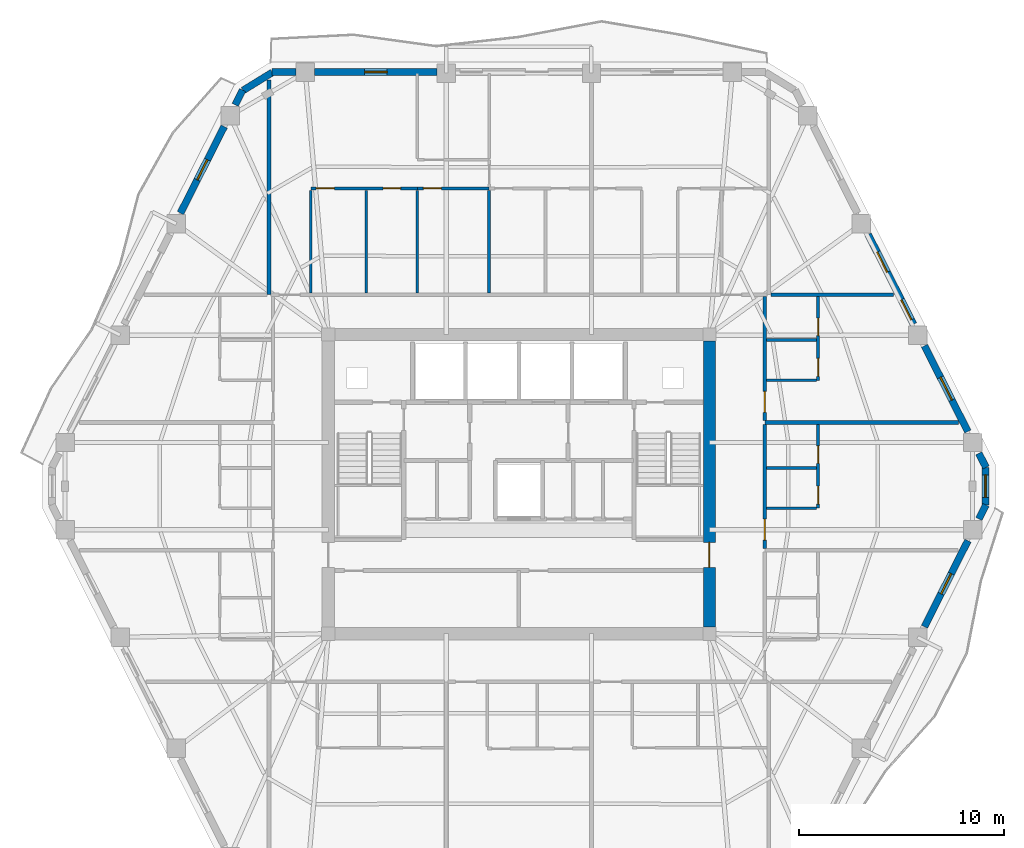
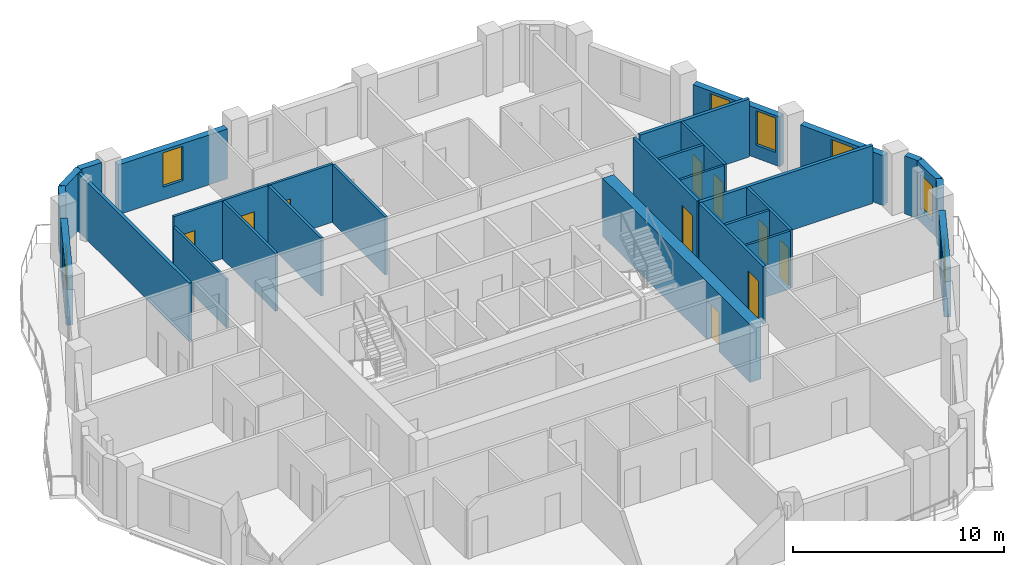
# One storey, part 7 of 10: 29 walls, 10 doors, 7 windows, 17 openings.
"""IFC4 building model written with IfcOpenShell, lengths in metres."""

from ifc_helpers import new_model, si_unit, direction, frame, frame_2d, origin, place, context, subcontext, project, spatial, rectangle, extrude, material, layer, layer_set, type_object, element, fill, save


model = new_model("IFC4")

# Units and contexts
model_context = context("Model", 3, precision=1e-05, world=origin(), true_north=direction((0.0, 1.0)))
body_context = subcontext(model_context, "Body", "Model", "MODEL_VIEW")
ifc_project = project(units=[si_unit("LENGTHUNIT", "METRE"), si_unit("AREAUNIT", "SQUARE_METRE"), si_unit("VOLUMEUNIT", "CUBIC_METRE"), si_unit("PLANEANGLEUNIT", "RADIAN"), si_unit("MASSUNIT", "GRAM", prefix="KILO")], contexts=[model_context])

# Site, building, storey
site_placement = place(None, origin())
site = spatial("IfcSite", under=ifc_project, at=site_placement, CompositionType="ELEMENT")
building_placement = place(site_placement, origin())
building = spatial("IfcBuilding", under=site, at=building_placement, Name="Cinnabar Lancet Tower", CompositionType="ELEMENT")
storey_placement = place(building_placement, frame((0.0, 0.0, 203.85009765625)))
storey = spatial("IfcBuildingStorey", under=building, at=storey_placement, Name="L54", CompositionType="ELEMENT", Elevation=203.85009765625)

# Wall, opening, door
ifc_material_1 = material(Name="Acoustic twin-stud gypsum partition", Category="gypsum")
ifc_layer_1 = layer(ifc_material_1, 0.159912109375)
ifc_layer_set_1 = layer_set([ifc_layer_1], Name="Acoustic twin-stud gypsum partition")
wall_type_1 = type_object("IfcWallType", Name="ARC-WL-CORR-160", PredefinedType="PARTITIONING", material=ifc_layer_set_1)
wall_1_placement = place(storey_placement, frame((44.39990234375, 22.77099609375, 0.0), z_axis=(0.0, 0.0, 1.0), x_axis=(0.0, 1.0, 0.0)))
wall_1 = element("IfcWall", 1, at=wall_1_placement, inside=storey, type_object=wall_type_1, Name="UW-L54-E02-COR", PredefinedType="PARTITIONING", context=body_context, shape_type="SweptSolid", body=[
    extrude(rectangle(XDim=6.047119140625, YDim=0.159912109375, at=frame_2d((3.0234375, 0.0))), origin(), (0.0, 0.0, 1.0), 3.349853515625),
])
opening_1_placement = place(wall_1_placement, frame((0.39990234375, 0.0, 0.0)))
opening_1 = element("IfcOpeningElement", 2, at=opening_1_placement, cuts=wall_1, Name="Opening UD-01", PredefinedType="OPENING", context=body_context, shape_type="SweptSolid", body=[
    extrude(rectangle(XDim=1.02001953125, YDim=2.25, at=frame_2d((0.510009765625, 1.125))), frame((0.0, 0.08984375, 0.0), z_axis=(0.0, -1.0, 0.0), x_axis=(1.0, 0.0, 0.0)), (0.0, 0.0, 1.0), 0.179931640625),
])
ifc_material_2 = material(Name="Solid timber fire-rated apartment entrance door", Category="wood")
door_type_1 = type_object("IfcDoorType", Name="ARC-DR-UNIT", OperationType="NOTDEFINED", PredefinedType="DOOR", material=ifc_material_2)
door_1_placement = place(opening_1_placement, origin())
door_1 = element("IfcDoor", 3, at=door_1_placement, inside=storey, type_object=door_type_1, Name="DR-L54-E02-ENT", OperationType="SINGLE_SWING_LEFT", OverallHeight=2.25, OverallWidth=1.02001953125, PredefinedType="DOOR", context=body_context, shape_type="SweptSolid", body=[
    extrude(rectangle(XDim=1.02001953125, YDim=2.25, at=frame_2d((0.510009765625, 1.125))), frame((0.0, 0.02490234375, 0.0), z_axis=(0.0, -1.0, 0.0), x_axis=(1.0, 0.0, 0.0)), (0.0, 0.0, 1.0), 0.050048828125),
])
fill(opening_1, door_1)

wall_2_placement = place(storey_placement, frame((44.39990234375, 29.008056640625, 0.0), z_axis=(0.0, 0.0, 1.0), x_axis=(0.0, 1.0, 0.0)))
wall_2 = element("IfcWall", 4, at=wall_2_placement, inside=storey, type_object=wall_type_1, Name="UW-L54-E03-COR", PredefinedType="PARTITIONING", context=body_context, shape_type="SweptSolid", body=[
    extrude(rectangle(XDim=6.046875, YDim=0.159912109375, at=frame_2d((3.0234375, 0.0))), origin(), (0.0, 0.0, 1.0), 3.349853515625),
])
opening_2_placement = place(wall_2_placement, frame((0.39990234375, 0.0, 0.0)))
opening_2 = element("IfcOpeningElement", 5, at=opening_2_placement, cuts=wall_2, Name="Opening UD-01", PredefinedType="OPENING", context=body_context, shape_type="SweptSolid", body=[
    extrude(rectangle(XDim=1.02001953125, YDim=2.25, at=frame_2d((0.510009765625, 1.125))), frame((0.0, 0.08984375, 0.0), z_axis=(0.0, -1.0, 0.0), x_axis=(1.0, 0.0, 0.0)), (0.0, 0.0, 1.0), 0.179931640625),
])
door_2_placement = place(opening_2_placement, origin())
door_2 = element("IfcDoor", 6, at=door_2_placement, inside=storey, type_object=door_type_1, Name="DR-L54-E03-ENT", OperationType="SINGLE_SWING_RIGHT", OverallHeight=2.25, OverallWidth=1.02001953125, PredefinedType="DOOR", context=body_context, shape_type="SweptSolid", body=[
    extrude(rectangle(XDim=1.02001953125, YDim=2.25, at=frame_2d((0.510009765625, 1.125))), frame((0.0, 0.02490234375, 0.0), z_axis=(0.0, -1.0, 0.0), x_axis=(1.0, 0.0, 0.0)), (0.0, 0.0, 1.0), 0.050048828125),
])
fill(opening_2, door_2)

# Walls
ifc_material_3 = material(Name="Fire-rated twin-frame acoustic drywall", Category="gypsum")
ifc_layer_2 = layer(ifc_material_3, 0.179931640625)
ifc_layer_set_2 = layer_set([ifc_layer_2], Name="Fire-rated twin-frame acoustic drywall")
wall_type_2 = type_object("IfcWallType", Name="ARC-WL-PARTY-180", PredefinedType="PARTITIONING", material=ifc_layer_set_2)
wall_3_placement = place(storey_placement, frame((20.199951171875, 35.14990234375, 0.0), z_axis=(0.0, 0.0, 1.0), x_axis=(0.0, 1.0, 0.0)))
element("IfcWall", 7, at=wall_3_placement, inside=storey, type_object=wall_type_2, Name="PW-L54-NPTY-202", PredefinedType="PARTITIONING", context=body_context, shape_type="SweptSolid", body=[
    extrude(rectangle(XDim=10.482177734375, YDim=0.179931640625, at=frame_2d((5.2412109375, 0.0))), origin(), (0.0, 0.0, 1.0), 3.349853515625),
])
wall_4_placement = place(storey_placement, frame((44.695068359375, 35.14990234375, 0.0), z_axis=(0.0, 0.0, 1.0), x_axis=(1.0, 0.0, 0.0)))
element("IfcWall", 8, at=wall_4_placement, inside=storey, type_object=wall_type_2, Name="PW-L54-ENB", PredefinedType="PARTITIONING", context=body_context, shape_type="SweptSolid", body=[
    extrude(rectangle(XDim=5.994873046875, YDim=0.179931640625, at=frame_2d((2.99755859375, 0.0))), origin(), (0.0, 0.0, 1.0), 3.349853515625),
])
wall_5_placement = place(storey_placement, frame((44.39990234375, 28.9130859375, 0.0), z_axis=(0.0, 0.0, 1.0), x_axis=(1.0, 0.0, 0.0)))
element("IfcWall", 9, at=wall_5_placement, inside=storey, type_object=wall_type_2, Name="PW-L54-EPTY-2", PredefinedType="PARTITIONING", context=body_context, shape_type="SweptSolid", body=[
    extrude(rectangle(XDim=9.446044921875, YDim=0.179931640625, at=frame_2d((4.72314453125, 0.0))), origin(), (0.0, 0.0, 1.0), 3.349853515625),
])
ifc_material_4 = material(Name="Gypsum plasterboard stud partition", Category="gypsum")
ifc_layer_3 = layer(ifc_material_4, 0.125)
ifc_layer_set_3 = layer_set([ifc_layer_3], Name="Gypsum plasterboard stud partition")
wall_type_3 = type_object("IfcWallType", Name="ARC-WL-UNIT-125", PredefinedType="PARTITIONING", material=ifc_layer_set_3)
wall_6_placement = place(storey_placement, frame((22.25, 35.235107421875, 0.0), z_axis=(0.0, 0.0, 1.0), x_axis=(0.0, 1.0, 0.0)))
element("IfcWall", 10, at=wall_6_placement, inside=storey, type_object=wall_type_3, Name="UW-L54-N01-FOYE", PredefinedType="PARTITIONING", context=body_context, shape_type="SweptSolid", body=[
    extrude(rectangle(XDim=4.990966796875, YDim=0.125, at=frame_2d((2.49560546875, 0.0))), origin(), (0.0, 0.0, 1.0), 2.806884765625),
])
for number, where, z_axis, x_axis, name in (
    (11, (44.485107421875, 24.72607421875, 0.0), (0.0, 0.0, 1.0), (1.0, 0.0, 0.0), "UW-L54-E02-FOYN"),
    (12, (44.485107421875, 30.962890625, 0.0), (0.0, 0.0, 1.0), (1.0, 0.0, 0.0), "UW-L54-E03-FOYN"),
):
    element("IfcWall", number, at=place(storey_placement, frame(where, z_axis=z_axis, x_axis=x_axis)), inside=storey, type_object=wall_type_3, Name=name, PredefinedType="PARTITIONING", context=body_context, shape_type="SweptSolid", body=[
        extrude(rectangle(XDim=2.429931640625, YDim=0.125, at=frame_2d((1.21484375, 0.0))), origin(), (0.0, 0.0, 1.0), 3.349853515625),
    ])

# Wall, openings, doors
ifc_material_5 = material(Name="Moisture-resistant cement-board plumbing wall", Category="masonry")
ifc_layer_4 = layer(ifc_material_5, 0.139892578125)
ifc_layer_set_4 = layer_set([ifc_layer_4], Name="Moisture-resistant cement-board plumbing wall")
wall_type_4 = type_object("IfcWallType", Name="ARC-WL-WET-140", PredefinedType="PLUMBINGWALL", material=ifc_layer_set_4)
wall_7_placement = place(storey_placement, frame((22.25, 40.3310546875, 0.0), z_axis=(0.0, 0.0, 1.0), x_axis=(1.0, 0.0, 0.0)))
wall_7 = element("IfcWall", 13, at=wall_7_placement, inside=storey, type_object=wall_type_4, Name="UW-L54-N01-SPL", PredefinedType="PLUMBINGWALL", context=body_context, shape_type="SweptSolid", body=[
    extrude(rectangle(XDim=5.19189453125, YDim=0.139892578125, at=frame_2d((2.595947265625, 0.0))), origin(), (0.0, 0.0, 1.0), 3.349853515625),
])
opening_3_placement = place(wall_7_placement, frame((3.52099609375, 0.0, 0.0)))
opening_3 = element("IfcOpeningElement", 14, at=opening_3_placement, cuts=wall_7, Name="Opening BD-01", PredefinedType="OPENING", context=body_context, shape_type="SweptSolid", body=[
    extrude(rectangle(XDim=0.860107421875, YDim=2.10009765625, at=frame_2d((0.43017578125, 1.050048828125))), frame((0.0, 0.079833984375, 0.0), z_axis=(0.0, -1.0, 0.0), x_axis=(1.0, 0.0, 0.0)), (0.0, 0.0, 1.0), 0.159912109375),
])
opening_4_placement = place(wall_7_placement, frame((0.260009765625, 0.0, 0.0)))
opening_4 = element("IfcOpeningElement", 15, at=opening_4_placement, cuts=wall_7, Name="Opening RD-02", PredefinedType="OPENING", context=body_context, shape_type="SweptSolid", body=[
    extrude(rectangle(XDim=0.8798828125, YDim=2.14990234375, at=frame_2d((0.43994140625, 1.074951171875))), frame((0.0, 0.079833984375, 0.0), z_axis=(0.0, -1.0, 0.0), x_axis=(1.0, 0.0, 0.0)), (0.0, 0.0, 1.0), 0.159912109375),
])
ifc_material_6 = material(Name="Moisture-resistant timber bathroom door", Category="wood")
door_type_2 = type_object("IfcDoorType", Name="ARC-DR-BATH", OperationType="NOTDEFINED", PredefinedType="DOOR", material=ifc_material_6)
door_3_placement = place(opening_3_placement, origin())
door_3 = element("IfcDoor", 16, at=door_3_placement, inside=storey, type_object=door_type_2, Name="DR-L54-N01-BTH", OperationType="SINGLE_SWING_RIGHT", OverallHeight=2.10009765625, OverallWidth=0.860107421875, PredefinedType="DOOR", context=body_context, shape_type="SweptSolid", body=[
    extrude(rectangle(XDim=0.860107421875, YDim=2.10009765625, at=frame_2d((0.43017578125, 1.050048828125))), frame((0.0, 0.02490234375, 0.0), z_axis=(0.0, -1.0, 0.0), x_axis=(1.0, 0.0, 0.0)), (0.0, 0.0, 1.0), 0.050048828125),
])
fill(opening_3, door_3)
ifc_material_7 = material(Name="Engineered timber study door", Category="wood")
door_type_3 = type_object("IfcDoorType", Name="ARC-DR-STUDY", OperationType="NOTDEFINED", PredefinedType="DOOR", material=ifc_material_7)
door_4_placement = place(opening_4_placement, origin())
door_4 = element("IfcDoor", 17, at=door_4_placement, inside=storey, type_object=door_type_3, Name="DR-L54-N01-KIT", OperationType="SINGLE_SWING_LEFT", OverallHeight=2.14990234375, OverallWidth=0.8798828125, PredefinedType="DOOR", context=body_context, shape_type="SweptSolid", body=[
    extrude(rectangle(XDim=0.8798828125, YDim=2.14990234375, at=frame_2d((0.43994140625, 1.074951171875))), frame((0.0, 0.02490234375, 0.0), z_axis=(0.0, -1.0, 0.0), x_axis=(1.0, 0.0, 0.0)), (0.0, 0.0, 1.0), 0.050048828125),
])
fill(opening_4, door_4)

# Wall, opening, door
wall_8_placement = place(storey_placement, frame((27.44189453125, 40.3310546875, 0.0), z_axis=(0.0, 0.0, 1.0), x_axis=(1.0, 0.0, 0.0)))
wall_8 = element("IfcWall", 18, at=wall_8_placement, inside=storey, type_object=wall_type_4, Name="UW-L54-N01-SPM", PredefinedType="PLUMBINGWALL", context=body_context, shape_type="SweptSolid", body=[
    extrude(rectangle(XDim=3.508056640625, YDim=0.139892578125, at=frame_2d((1.75390625, 0.0))), origin(), (0.0, 0.0, 1.0), 3.349853515625),
])
opening_5_placement = place(wall_8_placement, frame((0.300048828125, 0.0, 0.0)))
opening_5 = element("IfcOpeningElement", 19, at=opening_5_placement, cuts=wall_8, Name="Opening RD-02", PredefinedType="OPENING", context=body_context, shape_type="SweptSolid", body=[
    extrude(rectangle(XDim=0.8798828125, YDim=2.14990234375, at=frame_2d((0.43994140625, 1.074951171875))), frame((0.0, 0.079833984375, 0.0), z_axis=(0.0, -1.0, 0.0), x_axis=(1.0, 0.0, 0.0)), (0.0, 0.0, 1.0), 0.159912109375),
])
door_5_placement = place(opening_5_placement, origin())
door_5 = element("IfcDoor", 20, at=door_5_placement, inside=storey, type_object=door_type_3, Name="DR-L54-N01-UTL", OperationType="SINGLE_SWING_RIGHT", OverallHeight=2.14990234375, OverallWidth=0.8798828125, PredefinedType="DOOR", context=body_context, shape_type="SweptSolid", body=[
    extrude(rectangle(XDim=0.8798828125, YDim=2.14990234375, at=frame_2d((0.43994140625, 1.074951171875))), frame((0.0, 0.02490234375, 0.0), z_axis=(0.0, -1.0, 0.0), x_axis=(1.0, 0.0, 0.0)), (0.0, 0.0, 1.0), 0.050048828125),
])
fill(opening_5, door_5)

# Walls
for number, where, z_axis, x_axis, name in (
    (21, (24.949951171875, 35.235107421875, 0.0), (0.0, 0.0, 1.0), (0.0, 1.0, 0.0), "UW-L54-N01-KDV"),
    (22, (27.44189453125, 35.235107421875, 0.0), (0.0, 0.0, 1.0), (0.0, 1.0, 0.0), "UW-L54-N01-ENSW"),
    (23, (30.949951171875, 35.235107421875, 0.0), (0.0, 0.0, 1.0), (0.0, 1.0, 0.0), "UW-L54-N01-ENSE"),
):
    element("IfcWall", number, at=place(storey_placement, frame(where, z_axis=z_axis, x_axis=x_axis)), inside=storey, type_object=wall_type_4, Name=name, PredefinedType="PLUMBINGWALL", context=body_context, shape_type="SweptSolid", body=[
        extrude(rectangle(XDim=4.990966796875, YDim=0.139892578125, at=frame_2d((2.49560546875, 0.0))), origin(), (0.0, 0.0, 1.0), 3.349853515625),
    ])

# Wall, openings, doors
wall_9_placement = place(storey_placement, frame((47.0, 24.72607421875, 0.0), z_axis=(0.0, 0.0, 1.0), x_axis=(0.0, 1.0, 0.0)))
wall_9 = element("IfcWall", 24, at=wall_9_placement, inside=storey, type_object=wall_type_4, Name="UW-L54-E02-SPL", PredefinedType="PLUMBINGWALL", context=body_context, shape_type="SweptSolid", body=[
    extrude(rectangle(XDim=4.092041015625, YDim=0.139892578125, at=frame_2d((2.0458984375, 0.0))), origin(), (0.0, 0.0, 1.0), 3.349853515625),
])
opening_6_placement = place(wall_9_placement, frame((2.18408203125, 0.0, 0.0)))
opening_6 = element("IfcOpeningElement", 25, at=opening_6_placement, cuts=wall_9, Name="Opening BD-01", PredefinedType="OPENING", context=body_context, shape_type="SweptSolid", body=[
    extrude(rectangle(XDim=0.860107421875, YDim=2.10009765625, at=frame_2d((0.43017578125, 1.050048828125))), frame((0.0, 0.079833984375, 0.0), z_axis=(0.0, -1.0, 0.0), x_axis=(1.0, 0.0, 0.0)), (0.0, 0.0, 1.0), 0.159912109375),
])
opening_7_placement = place(wall_9_placement, frame((0.199951171875, 0.0, 0.0)))
opening_7 = element("IfcOpeningElement", 26, at=opening_7_placement, cuts=wall_9, Name="Opening RD-02", PredefinedType="OPENING", context=body_context, shape_type="SweptSolid", body=[
    extrude(rectangle(XDim=0.8798828125, YDim=2.14990234375, at=frame_2d((0.43994140625, 1.074951171875))), frame((0.0, 0.079833984375, 0.0), z_axis=(0.0, -1.0, 0.0), x_axis=(1.0, 0.0, 0.0)), (0.0, 0.0, 1.0), 0.159912109375),
])
door_6_placement = place(opening_6_placement, origin())
door_6 = element("IfcDoor", 27, at=door_6_placement, inside=storey, type_object=door_type_2, Name="DR-L54-E02-BTH", OperationType="SINGLE_SWING_LEFT", OverallHeight=2.10009765625, OverallWidth=0.860107421875, PredefinedType="DOOR", context=body_context, shape_type="SweptSolid", body=[
    extrude(rectangle(XDim=0.860107421875, YDim=2.10009765625, at=frame_2d((0.43017578125, 1.050048828125))), frame((0.0, 0.02490234375, 0.0), z_axis=(0.0, -1.0, 0.0), x_axis=(1.0, 0.0, 0.0)), (0.0, 0.0, 1.0), 0.050048828125),
])
fill(opening_6, door_6)
door_7_placement = place(opening_7_placement, origin())
door_7 = element("IfcDoor", 28, at=door_7_placement, inside=storey, type_object=door_type_3, Name="DR-L54-E02-KIT", OperationType="SINGLE_SWING_RIGHT", OverallHeight=2.14990234375, OverallWidth=0.8798828125, PredefinedType="DOOR", context=body_context, shape_type="SweptSolid", body=[
    extrude(rectangle(XDim=0.8798828125, YDim=2.14990234375, at=frame_2d((0.43994140625, 1.074951171875))), frame((0.0, 0.02490234375, 0.0), z_axis=(0.0, -1.0, 0.0), x_axis=(1.0, 0.0, 0.0)), (0.0, 0.0, 1.0), 0.050048828125),
])
fill(opening_7, door_7)

# Wall
wall_10_placement = place(storey_placement, frame((44.485107421875, 26.68994140625, 0.0), z_axis=(0.0, 0.0, 1.0), x_axis=(1.0, 0.0, 0.0)))
element("IfcWall", 29, at=wall_10_placement, inside=storey, type_object=wall_type_4, Name="UW-L54-E02-KDV", PredefinedType="PLUMBINGWALL", context=body_context, shape_type="SweptSolid", body=[
    extrude(rectangle(XDim=2.429931640625, YDim=0.139892578125, at=frame_2d((1.21484375, 0.0))), origin(), (0.0, 0.0, 1.0), 3.349853515625),
])

# Wall, openings, doors
wall_11_placement = place(storey_placement, frame((47.0, 30.962890625, 0.0), z_axis=(0.0, 0.0, 1.0), x_axis=(0.0, 1.0, 0.0)))
wall_11 = element("IfcWall", 30, at=wall_11_placement, inside=storey, type_object=wall_type_4, Name="UW-L54-E03-SPL", PredefinedType="PLUMBINGWALL", context=body_context, shape_type="SweptSolid", body=[
    extrude(rectangle(XDim=4.092041015625, YDim=0.139892578125, at=frame_2d((2.0458984375, 0.0))), origin(), (0.0, 0.0, 1.0), 3.349853515625),
])
opening_8_placement = place(wall_11_placement, frame((2.18408203125, 0.0, 0.0)))
opening_8 = element("IfcOpeningElement", 31, at=opening_8_placement, cuts=wall_11, Name="Opening BD-01", PredefinedType="OPENING", context=body_context, shape_type="SweptSolid", body=[
    extrude(rectangle(XDim=0.860107421875, YDim=2.10009765625, at=frame_2d((0.43017578125, 1.050048828125))), frame((0.0, 0.079833984375, 0.0), z_axis=(0.0, -1.0, 0.0), x_axis=(1.0, 0.0, 0.0)), (0.0, 0.0, 1.0), 0.159912109375),
])
opening_9_placement = place(wall_11_placement, frame((0.199951171875, 0.0, 0.0)))
opening_9 = element("IfcOpeningElement", 32, at=opening_9_placement, cuts=wall_11, Name="Opening RD-02", PredefinedType="OPENING", context=body_context, shape_type="SweptSolid", body=[
    extrude(rectangle(XDim=0.8798828125, YDim=2.14990234375, at=frame_2d((0.43994140625, 1.074951171875))), frame((0.0, 0.079833984375, 0.0), z_axis=(0.0, -1.0, 0.0), x_axis=(1.0, 0.0, 0.0)), (0.0, 0.0, 1.0), 0.159912109375),
])
door_8_placement = place(opening_8_placement, origin())
door_8 = element("IfcDoor", 33, at=door_8_placement, inside=storey, type_object=door_type_2, Name="DR-L54-E03-BTH", OperationType="SINGLE_SWING_RIGHT", OverallHeight=2.10009765625, OverallWidth=0.860107421875, PredefinedType="DOOR", context=body_context, shape_type="SweptSolid", body=[
    extrude(rectangle(XDim=0.860107421875, YDim=2.10009765625, at=frame_2d((0.43017578125, 1.050048828125))), frame((0.0, 0.02490234375, 0.0), z_axis=(0.0, -1.0, 0.0), x_axis=(1.0, 0.0, 0.0)), (0.0, 0.0, 1.0), 0.050048828125),
])
fill(opening_8, door_8)
door_9_placement = place(opening_9_placement, origin())
door_9 = element("IfcDoor", 34, at=door_9_placement, inside=storey, type_object=door_type_3, Name="DR-L54-E03-KIT", OperationType="SINGLE_SWING_LEFT", OverallHeight=2.14990234375, OverallWidth=0.8798828125, PredefinedType="DOOR", context=body_context, shape_type="SweptSolid", body=[
    extrude(rectangle(XDim=0.8798828125, YDim=2.14990234375, at=frame_2d((0.43994140625, 1.074951171875))), frame((0.0, 0.02490234375, 0.0), z_axis=(0.0, -1.0, 0.0), x_axis=(1.0, 0.0, 0.0)), (0.0, 0.0, 1.0), 0.050048828125),
])
fill(opening_9, door_9)

# Wall
wall_12_placement = place(storey_placement, frame((44.485107421875, 32.927001953125, 0.0), z_axis=(0.0, 0.0, 1.0), x_axis=(1.0, 0.0, 0.0)))
element("IfcWall", 35, at=wall_12_placement, inside=storey, type_object=wall_type_4, Name="UW-L54-E03-KDV", PredefinedType="PLUMBINGWALL", context=body_context, shape_type="SweptSolid", body=[
    extrude(rectangle(XDim=2.429931640625, YDim=0.139892578125, at=frame_2d((1.21484375, 0.0))), origin(), (0.0, 0.0, 1.0), 3.349853515625),
])

# Wall, opening, window
ifc_material_8 = material(Name="Cinnabar red clay brick", Category="masonry")
ifc_layer_5 = layer(ifc_material_8, 0.340087890625)
ifc_layer_set_5 = layer_set([ifc_layer_5], Name="Cinnabar red clay brick")
wall_type_5 = type_object("IfcWallType", Name="ENV-WL-BRK-RED-340", PredefinedType="STANDARD", material=ifc_layer_set_5)
wall_13_placement = place(storey_placement, frame((55.177978515625, 24.89208984375, 0.0), z_axis=(0.0, 0.0, 1.0), x_axis=(0.0, 1.0, 0.0)))
wall_13 = element("IfcWall", 36, at=wall_13_placement, inside=storey, type_object=wall_type_5, Name="L54 Chamfered Corner Brick Pier 3.1", PredefinedType="STANDARD", context=body_context, shape_type="SweptSolid", body=[
    extrude(rectangle(XDim=1.81591796875, YDim=0.340087890625, at=frame_2d((0.907958984375, 0.0))), origin(), (0.0, 0.0, 1.0), 3.349853515625),
])
opening_10_placement = place(wall_13_placement, frame((0.35791015625, 0.0, 0.75)))
opening_10 = element("IfcOpeningElement", 37, at=opening_10_placement, cuts=wall_13, Name="Opening WN-04", PredefinedType="OPENING", context=body_context, shape_type="SweptSolid", body=[
    extrude(rectangle(XDim=1.10009765625, YDim=2.0, at=frame_2d((0.550048828125, 1.0))), frame((0.0, 0.179931640625, 0.0), z_axis=(0.0, -1.0, 0.0), x_axis=(1.0, 0.0, 0.0)), (0.0, 0.0, 1.0), 0.360107421875),
])
ifc_material_9 = material(Name="Thermally broken bronze-anodized aluminium tall lancet window", Category="aluminium")
window_type_1 = type_object("IfcWindowType", Name="ENV-WN-LANCET-1100", PartitioningType="SINGLE_PANEL", PredefinedType="WINDOW", material=ifc_material_9)
window_1_placement = place(opening_10_placement, origin())
window_1 = element("IfcWindow", 38, at=window_1_placement, inside=storey, type_object=window_type_1, Name="L54 Dwelling Gothic Lancet Window 332", OverallHeight=2.0, OverallWidth=1.10009765625, PartitioningType="SINGLE_PANEL", PredefinedType="WINDOW", context=body_context, shape_type="SweptSolid", body=[
    extrude(rectangle(XDim=1.10009765625, YDim=2.0, at=frame_2d((0.550048828125, 1.0))), frame((0.0, 0.030029296875, 0.0), z_axis=(0.0, -1.0, 0.0), x_axis=(1.0, 0.0, 0.0)), (0.0, 0.0, 1.0), 0.06005859375),
])
fill(opening_10, window_1)

# Wall
wall_14_placement = place(storey_placement, frame((20.366943359375, 45.9951171875, 0.0), z_axis=(0.0, 0.0, 1.0), x_axis=(-0.851713271379, -0.524008113828, 0.0)))
element("IfcWall", 39, at=wall_14_placement, inside=storey, type_object=wall_type_5, Name="L54 Chamfered Corner Brick Pier 5.1", PredefinedType="STANDARD", context=body_context, shape_type="SweptSolid", body=[
    extrude(rectangle(XDim=1.677734375, YDim=0.340087890625, at=frame_2d((0.8388671875, 0.0))), origin(), (0.0, 0.0, 1.0), 3.349853515625),
])

# Wall, opening, window
wall_15_placement = place(storey_placement, frame((52.193115234375, 18.943115234375, 0.0), z_axis=(0.0, 0.0, 1.0), x_axis=(0.451447222193, 0.892297823361, 0.0)))
wall_15 = element("IfcWall", 40, at=wall_15_placement, inside=storey, type_object=wall_type_5, Name="L54 Face 2 Masonry Bay Wall 4", PredefinedType="STANDARD", context=body_context, shape_type="SweptSolid", body=[
    extrude(rectangle(XDim=4.699951171875, YDim=0.340087890625, at=frame_2d((2.35009765625, 0.0))), origin(), (0.0, 0.0, 1.0), 2.8828125),
])
opening_11_placement = place(wall_15_placement, frame((1.800048828125, 0.0, 0.75)))
opening_11 = element("IfcOpeningElement", 41, at=opening_11_placement, cuts=wall_15, Name="Opening WN-04", PredefinedType="OPENING", context=body_context, shape_type="SweptSolid", body=[
    extrude(rectangle(XDim=1.10009765625, YDim=1.98291015625, at=frame_2d((0.550048828125, 0.991455078125))), frame((0.0, 0.179931640625, 0.0), z_axis=(0.0, -1.0, 0.0), x_axis=(1.0, 0.0, 0.0)), (0.0, 0.0, 1.0), 0.360107421875),
])
window_2_placement = place(opening_11_placement, origin())
window_2 = element("IfcWindow", 42, at=window_2_placement, inside=storey, type_object=window_type_1, Name="L54 Face 2 Gothic Lancet Window 4", OverallHeight=1.98291015625, OverallWidth=1.10009765625, PartitioningType="SINGLE_PANEL", PredefinedType="WINDOW", context=body_context, shape_type="SweptSolid", body=[
    extrude(rectangle(XDim=1.10009765625, YDim=1.98291015625, at=frame_2d((0.550048828125, 0.991455078125))), frame((0.0, 0.030029296875, 0.0), z_axis=(0.0, -1.0, 0.0), x_axis=(1.0, 0.0, 0.0)), (0.0, 0.0, 1.0), 0.06005859375),
])
fill(opening_11, window_2)

# Walls
for number, where, z_axis, x_axis, name in (
    (43, (54.85107421875, 24.197021484375, 0.0), (0.0, 0.0, 1.0), (0.451262448184, 0.892391283496, 0.0), "L54 Face 2 Masonry Bay Wall 5"),
    (44, (55.198974609375, 26.715087890625, 0.0), (0.0, 0.0, 1.0), (-0.451262448184, 0.892391283496, 0.0), "L54 Face 3 Masonry Bay Wall 1"),
):
    element("IfcWall", number, at=place(storey_placement, frame(where, z_axis=z_axis, x_axis=x_axis)), inside=storey, type_object=wall_type_5, Name=name, PredefinedType="STANDARD", context=body_context, shape_type="SweptSolid", body=[
        extrude(rectangle(XDim=0.77099609375, YDim=0.340087890625, at=frame_2d((0.385498046875, 0.0))), origin(), (0.0, 0.0, 1.0), 3.349853515625),
    ])

# Wall, opening, window
wall_16_placement = place(storey_placement, frame((54.31494140625, 28.462890625, 0.0), z_axis=(0.0, 0.0, 1.0), x_axis=(-0.451426298588, 0.892308409096, 0.0)))
wall_16 = element("IfcWall", 45, at=wall_16_placement, inside=storey, type_object=wall_type_5, Name="L54 Face 3 Masonry Bay Wall 2", PredefinedType="STANDARD", context=body_context, shape_type="SweptSolid", body=[
    extrude(rectangle(XDim=4.7001953125, YDim=0.340087890625, at=frame_2d((2.35009765625, 0.0))), origin(), (0.0, 0.0, 1.0), 2.8828125),
])
opening_12_placement = place(wall_16_placement, frame((1.72509765625, 0.0, 0.75)))
opening_12 = element("IfcOpeningElement", 46, at=opening_12_placement, cuts=wall_16, Name="Opening WN-03", PredefinedType="OPENING", context=body_context, shape_type="SweptSolid", body=[
    extrude(rectangle(XDim=1.25, YDim=1.949951171875, at=frame_2d((0.625, 0.97509765625))), frame((0.0, 0.179931640625, 0.0), z_axis=(0.0, -1.0, 0.0), x_axis=(1.0, 0.0, 0.0)), (0.0, 0.0, 1.0), 0.360107421875),
])
ifc_material_10 = material(Name="Thermally broken bronze-anodized aluminium low-E double glazing", Category="aluminium")
window_type_2 = type_object("IfcWindowType", Name="ENV-WN-LANCET-1250", PartitioningType="SINGLE_PANEL", PredefinedType="WINDOW", material=ifc_material_10)
window_3_placement = place(opening_12_placement, origin())
window_3 = element("IfcWindow", 47, at=window_3_placement, inside=storey, type_object=window_type_2, Name="L54 Face 3 Gothic Lancet Window 2", OverallHeight=1.949951171875, OverallWidth=1.25, PartitioningType="SINGLE_PANEL", PredefinedType="WINDOW", context=body_context, shape_type="SweptSolid", body=[
    extrude(rectangle(XDim=1.25, YDim=1.949951171875, at=frame_2d((0.625, 0.97509765625))), frame((0.0, 0.030029296875, 0.0), z_axis=(0.0, -1.0, 0.0), x_axis=(1.0, 0.0, 0.0)), (0.0, 0.0, 1.0), 0.06005859375),
])
fill(opening_12, window_3)

# Wall, openings, windows
wall_17_placement = place(storey_placement, frame((51.6650390625, 33.701904296875, 0.0), z_axis=(0.0, 0.0, 1.0), x_axis=(-0.451524246964, 0.89225884944, 0.0)))
wall_17 = element("IfcWall", 48, at=wall_17_placement, inside=storey, type_object=wall_type_5, Name="L54 Face 3 Masonry Bay Wall 3", PredefinedType="STANDARD", context=body_context, shape_type="SweptSolid", body=[
    extrude(rectangle(XDim=4.91015625, YDim=0.340087890625, at=frame_2d((2.455078125, 0.0))), origin(), (0.0, 0.0, 1.0), 2.8828125),
])
opening_13_placement = place(wall_17_placement, frame((0.240966796875, 0.0, 0.75)))
opening_13 = element("IfcOpeningElement", 49, at=opening_13_placement, cuts=wall_17, Name="Opening WN-04", PredefinedType="OPENING", context=body_context, shape_type="SweptSolid", body=[
    extrude(rectangle(XDim=1.10009765625, YDim=1.98291015625, at=frame_2d((0.550048828125, 0.991455078125))), frame((0.0, 0.179931640625, 0.0), z_axis=(0.0, -1.0, 0.0), x_axis=(1.0, 0.0, 0.0)), (0.0, 0.0, 1.0), 0.360107421875),
])
opening_14_placement = place(wall_17_placement, frame((2.846923828125, 0.0, 0.75)))
opening_14 = element("IfcOpeningElement", 50, at=opening_14_placement, cuts=wall_17, Name="Opening WN-04", PredefinedType="OPENING", context=body_context, shape_type="SweptSolid", body=[
    extrude(rectangle(XDim=1.10009765625, YDim=1.98291015625, at=frame_2d((0.550048828125, 0.991455078125))), frame((0.0, 0.179931640625, 0.0), z_axis=(0.0, -1.0, 0.0), x_axis=(1.0, 0.0, 0.0)), (0.0, 0.0, 1.0), 0.360107421875),
])
window_4_placement = place(opening_13_placement, origin())
window_4 = element("IfcWindow", 51, at=window_4_placement, inside=storey, type_object=window_type_1, Name="L54 Face 3 Gothic Lancet Window 3", OverallHeight=1.98291015625, OverallWidth=1.10009765625, PartitioningType="SINGLE_PANEL", PredefinedType="WINDOW", context=body_context, shape_type="SweptSolid", body=[
    extrude(rectangle(XDim=1.10009765625, YDim=1.98291015625, at=frame_2d((0.550048828125, 0.991455078125))), frame((0.0, 0.030029296875, 0.0), z_axis=(0.0, -1.0, 0.0), x_axis=(1.0, 0.0, 0.0)), (0.0, 0.0, 1.0), 0.06005859375),
])
fill(opening_13, window_4)
window_5_placement = place(opening_14_placement, origin())
window_5 = element("IfcWindow", 52, at=window_5_placement, inside=storey, type_object=window_type_1, Name="L54 Split-Bay Gothic Lancet Window 183", OverallHeight=1.98291015625, OverallWidth=1.10009765625, PartitioningType="SINGLE_PANEL", PredefinedType="WINDOW", context=body_context, shape_type="SweptSolid", body=[
    extrude(rectangle(XDim=1.10009765625, YDim=1.98291015625, at=frame_2d((0.550048828125, 0.991455078125))), frame((0.0, 0.030029296875, 0.0), z_axis=(0.0, -1.0, 0.0), x_axis=(1.0, 0.0, 0.0)), (0.0, 0.0, 1.0), 0.06005859375),
])
fill(opening_14, window_5)

# Wall, opening, window
wall_18_placement = place(storey_placement, frame((28.403076171875, 46.02001953125, 0.0), z_axis=(0.0, 0.0, 1.0), x_axis=(-1.0, 0.0, 0.0)))
wall_18 = element("IfcWall", 53, at=wall_18_placement, inside=storey, type_object=wall_type_5, Name="L54 Face 4 Masonry Bay Wall 4", PredefinedType="STANDARD", context=body_context, shape_type="SweptSolid", body=[
    extrude(rectangle(XDim=5.969970703125, YDim=0.340087890625, at=frame_2d((2.98486328125, 0.0))), origin(), (0.0, 0.0, 1.0), 2.8828125),
])
opening_15_placement = place(wall_18_placement, frame((2.43505859375, 0.0, 0.75)))
opening_15 = element("IfcOpeningElement", 54, at=opening_15_placement, cuts=wall_18, Name="Opening WN-04", PredefinedType="OPENING", context=body_context, shape_type="SweptSolid", body=[
    extrude(rectangle(XDim=1.10009765625, YDim=1.98291015625, at=frame_2d((0.550048828125, 0.991455078125))), frame((0.0, 0.179931640625, 0.0), z_axis=(0.0, -1.0, 0.0), x_axis=(1.0, 0.0, 0.0)), (0.0, 0.0, 1.0), 0.360107421875),
])
window_6_placement = place(opening_15_placement, origin())
window_6 = element("IfcWindow", 55, at=window_6_placement, inside=storey, type_object=window_type_1, Name="L54 Face 4 Gothic Lancet Window 4", OverallHeight=1.98291015625, OverallWidth=1.10009765625, PartitioningType="SINGLE_PANEL", PredefinedType="WINDOW", context=body_context, shape_type="SweptSolid", body=[
    extrude(rectangle(XDim=1.10009765625, YDim=1.98291015625, at=frame_2d((0.550048828125, 0.991455078125))), frame((0.0, 0.030029296875, 0.0), z_axis=(0.0, -1.0, 0.0), x_axis=(1.0, 0.0, 0.0)), (0.0, 0.0, 1.0), 0.06005859375),
])
fill(opening_15, window_6)

# Walls
wall_19_placement = place(storey_placement, frame((21.52490234375, 46.02001953125, 0.0), z_axis=(0.0, 0.0, 1.0), x_axis=(-1.0, 0.0, 0.0)))
element("IfcWall", 56, at=wall_19_placement, inside=storey, type_object=wall_type_5, Name="L54 Face 4 Masonry Bay Wall 5", PredefinedType="STANDARD", context=body_context, shape_type="SweptSolid", body=[
    extrude(rectangle(XDim=1.162841796875, YDim=0.340087890625, at=frame_2d((0.58154296875, 0.0))), origin(), (0.0, 0.0, 1.0), 3.349853515625),
])
wall_20_placement = place(storey_placement, frame((18.91796875, 45.132080078125, 0.0), z_axis=(0.0, 0.0, 1.0), x_axis=(-0.451691568309, -0.892174157392, 0.0)))
element("IfcWall", 57, at=wall_20_placement, inside=storey, type_object=wall_type_5, Name="L54 Face 5 Masonry Bay Wall 1", PredefinedType="STANDARD", context=body_context, shape_type="SweptSolid", body=[
    extrude(rectangle(XDim=0.805908203125, YDim=0.340087890625, at=frame_2d((0.40283203125, 0.0))), origin(), (0.0, 0.0, 1.0), 3.349853515625),
])

# Wall, opening, window
wall_21_placement = place(storey_placement, frame((18.01708984375, 43.35107421875, 0.0), z_axis=(0.0, 0.0, 1.0), x_axis=(-0.45150207307, -0.892270070109, 0.0)))
wall_21 = element("IfcWall", 58, at=wall_21_placement, inside=storey, type_object=wall_type_5, Name="L54 Face 5 Masonry Bay Wall 2", PredefinedType="STANDARD", context=body_context, shape_type="SweptSolid", body=[
    extrude(rectangle(XDim=4.73095703125, YDim=0.340087890625, at=frame_2d((2.365478515625, 0.0))), origin(), (0.0, 0.0, 1.0), 2.8828125),
])
opening_16_placement = place(wall_21_placement, frame((1.81494140625, 0.0, 0.75)))
opening_16 = element("IfcOpeningElement", 59, at=opening_16_placement, cuts=wall_21, Name="Opening WN-04", PredefinedType="OPENING", context=body_context, shape_type="SweptSolid", body=[
    extrude(rectangle(XDim=1.10009765625, YDim=1.98291015625, at=frame_2d((0.550048828125, 0.991455078125))), frame((0.0, 0.179931640625, 0.0), z_axis=(0.0, -1.0, 0.0), x_axis=(1.0, 0.0, 0.0)), (0.0, 0.0, 1.0), 0.360107421875),
])
window_7_placement = place(opening_16_placement, origin())
window_7 = element("IfcWindow", 60, at=window_7_placement, inside=storey, type_object=window_type_1, Name="L54 Face 5 Gothic Lancet Window 2", OverallHeight=1.98291015625, OverallWidth=1.10009765625, PartitioningType="SINGLE_PANEL", PredefinedType="WINDOW", context=body_context, shape_type="SweptSolid", body=[
    extrude(rectangle(XDim=1.10009765625, YDim=1.98291015625, at=frame_2d((0.550048828125, 0.991455078125))), frame((0.0, 0.030029296875, 0.0), z_axis=(0.0, -1.0, 0.0), x_axis=(1.0, 0.0, 0.0)), (0.0, 0.0, 1.0), 0.06005859375),
])
fill(opening_16, window_7)

# Wall, opening, door
ifc_material_11 = material(Name="Concrete C60/75", Category="concrete")
ifc_layer_6 = layer(ifc_material_11, 0.60009765625)
ifc_layer_set_6 = layer_set([ifc_layer_6], Name="Concrete C60/75")
wall_type_6 = type_object("IfcWallType", Name="STR-WL-CORE-600", PredefinedType="SHEAR", material=ifc_layer_set_6)
wall_22_placement = place(storey_placement, frame((41.699951171875, 18.925048828125, 0.0), z_axis=(0.0, 0.0, 1.0), x_axis=(0.0, 1.0, 0.0)))
wall_22 = element("IfcWall", 61, at=wall_22_placement, inside=storey, type_object=wall_type_6, Name="L54 Core Shear Wall E", PredefinedType="SHEAR", context=body_context, shape_type="SweptSolid", body=[
    extrude(rectangle(XDim=13.949951171875, YDim=0.60009765625, at=frame_2d((6.97509765625, 0.0))), origin(), (0.0, 0.0, 1.0), 3.349853515625),
])
opening_17_placement = place(wall_22_placement, frame((2.9150390625, 0.0, 0.0)))
opening_17 = element("IfcOpeningElement", 62, at=opening_17_placement, cuts=wall_22, Name="Opening FD-02", PredefinedType="OPENING", context=body_context, shape_type="SweptSolid", body=[
    extrude(rectangle(XDim=1.219970703125, YDim=2.25, at=frame_2d((0.60986328125, 1.125))), frame((0.0, 0.31005859375, 0.0), z_axis=(0.0, -1.0, 0.0), x_axis=(1.0, 0.0, 0.0)), (0.0, 0.0, 1.0), 0.6201171875),
])
ifc_material_12 = material(Name="Fire-rated double-vision core portal door", Category="wood")
door_type_4 = type_object("IfcDoorType", Name="ARC-DR-CPORT", OperationType="NOTDEFINED", PredefinedType="DOOR", material=ifc_material_12)
door_10_placement = place(opening_17_placement, origin())
door_10 = element("IfcDoor", 63, at=door_10_placement, inside=storey, type_object=door_type_4, Name="L54 East Core Lobby Fire Door", OperationType="SINGLE_SWING_LEFT", OverallHeight=2.25, OverallWidth=1.219970703125, PredefinedType="DOOR", context=body_context, shape_type="SweptSolid", body=[
    extrude(rectangle(XDim=1.219970703125, YDim=2.25, at=frame_2d((0.60986328125, 1.125))), frame((0.0, 0.02490234375, 0.0), z_axis=(0.0, -1.0, 0.0), x_axis=(1.0, 0.0, 0.0)), (0.0, 0.0, 1.0), 0.050048828125),
])
fill(opening_17, door_10)

save(model, "model.ifc")
